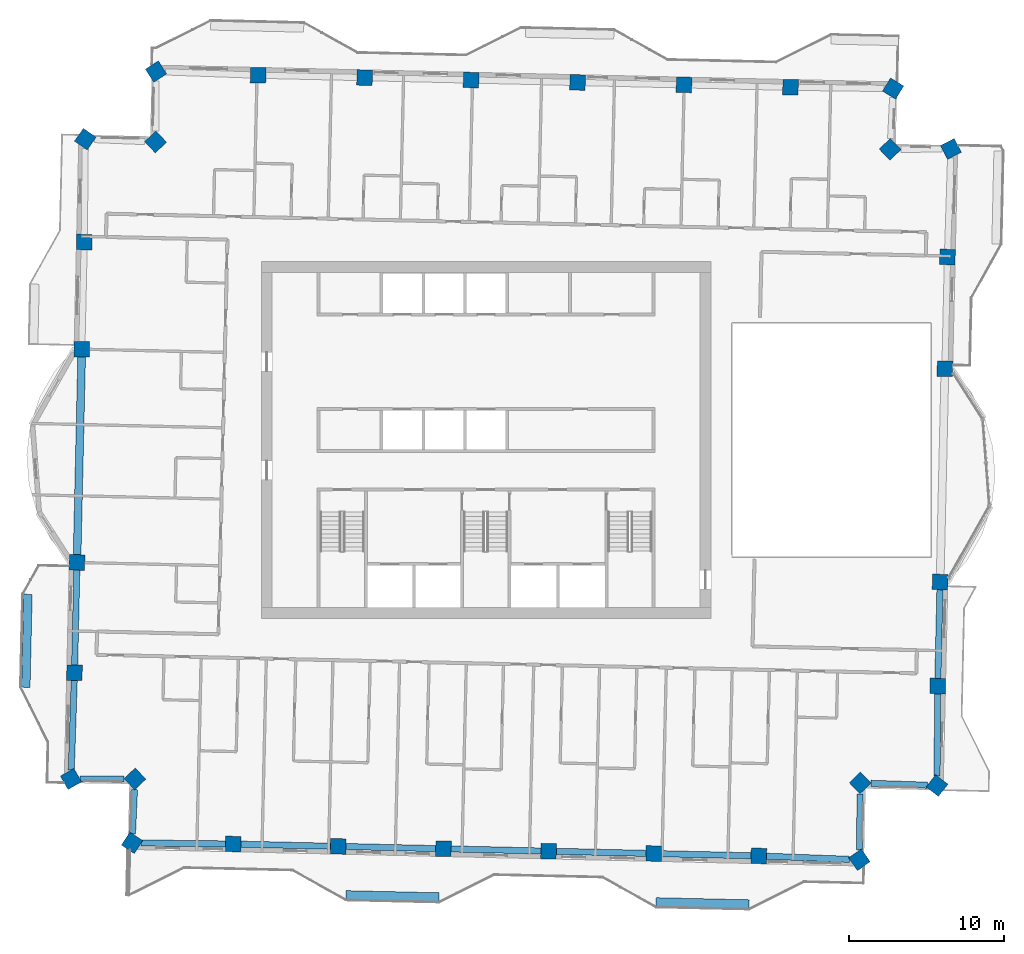
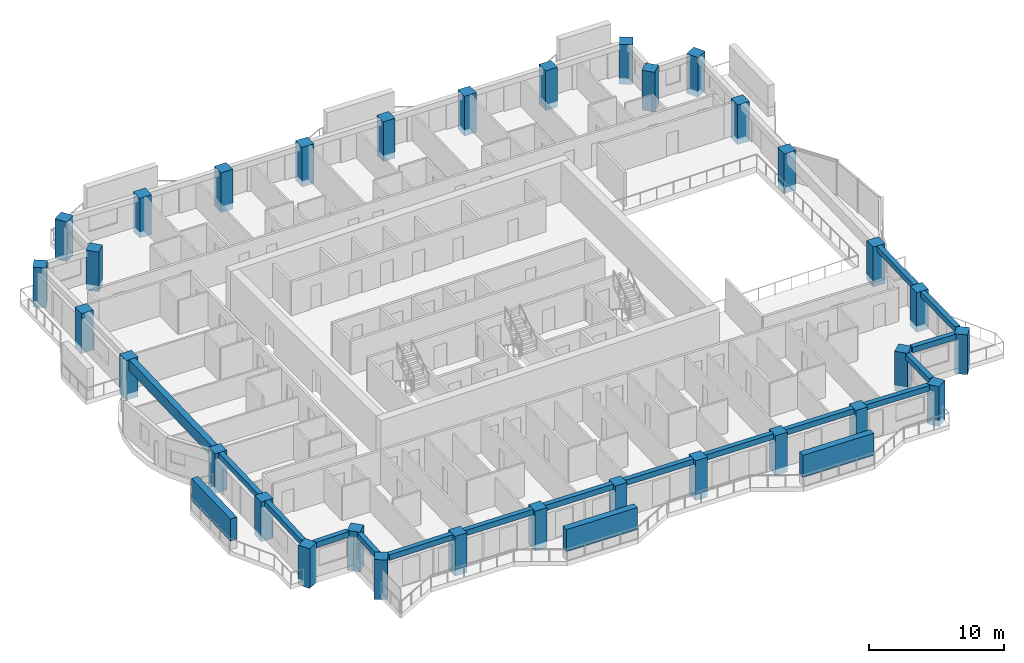
# One storey, part 1 of 17: 32 columns, 16 beams, 3 members.
"""IFC4 building model written with IfcOpenShell, lengths in metres."""

from ifc_helpers import new_model, si_unit, direction, frame, origin, origin_2d, place, context, subcontext, project, spatial, rectangle, extrude, material, material_profile, profile_set, type_object, element, save


model = new_model("IFC4")

# Units and contexts
model_context = context("Model", 3, precision=1e-05, world=origin(), true_north=direction((0.0, 1.0)))
body_context = subcontext(model_context, "Body", "Model", "MODEL_VIEW")
ifc_project = project(units=[si_unit("LENGTHUNIT", "METRE"), si_unit("AREAUNIT", "SQUARE_METRE"), si_unit("VOLUMEUNIT", "CUBIC_METRE"), si_unit("PLANEANGLEUNIT", "RADIAN"), si_unit("MASSUNIT", "GRAM", prefix="KILO")], contexts=[model_context])

# Site, building, storey
site_placement = place(None, origin())
site = spatial("IfcSite", under=ifc_project, at=site_placement, CompositionType="ELEMENT")
building_placement = place(site_placement, origin())
building = spatial("IfcBuilding", under=site, at=building_placement, Name="Mangrove Gate Tower", CompositionType="ELEMENT")
storey_placement = place(building_placement, frame((0.0, 0.0, 264.5)))
storey = spatial("IfcBuildingStorey", under=building, at=storey_placement, Name="L67", CompositionType="ELEMENT", Elevation=264.5)

# Columns
ifc_material_1 = material(Name="Concrete C60/75", Category="concrete")
ifc_material_profile_1 = material_profile(ifc_material_1, rectangle(XDim=1.0, YDim=1.0, at=origin_2d()))
ifc_profile_set_1 = profile_set([ifc_material_profile_1], Name="Concrete C60/75")
column_type = type_object("IfcColumnType", Name="Column RC 1000x1000 C60/75", PredefinedType="COLUMN", material=ifc_profile_set_1)
for number, where, z_axis, x_axis, name in (
    (1, (-26.385009765625, -7.892333984375, -0.550048828125), (0.0, 0.0, 1.0), (-0.022672414846, -0.999742947765, 0.0), "Column L67 W05"),
    (2, (-26.546142578125, -15.002197265625, -0.550048828125), (0.0, 0.0, 1.0), (-0.022636766921, -0.999743755561, 0.0), "Column L67 W06"),
    (3, (-26.770751953125, -21.857666015625, -0.550048828125), (0.0, 0.0, 1.0), (0.488846659431, -0.872369728706, 0.0), "Column L67 W07"),
    (4, (-22.646484375, -21.8515625, -0.550048828125), (0.0, 0.0, 1.0), (0.690844076144, -0.723003777622, 0.0), "Column L67 W08"),
    (5, (-22.8310546875, -25.97705078125, -0.550048828125), (0.0, 0.0, 1.0), (0.837962090781, -0.545728443838, 0.0), "Column L67 S01"),
    (6, (-16.312744140625, -26.050048828125, -0.550048828125), (0.0, 0.0, 1.0), (0.999742139886, -0.022708010396, 0.0), "Column L67 S02"),
    (7, (-9.53271484375, -26.2041015625, -0.550048828125), (0.0, 0.0, 1.0), (0.99974381087, -0.022634324086, 0.0), "Column L67 S03"),
    (8, (-2.752685546875, -26.357177734375, -0.550048828125), (0.0, 0.0, 1.0), (0.99974381087, -0.022634324086, 0.0), "Column L67 S04"),
    (9, (4.02734375, -26.51123046875, -0.550048828125), (0.0, 0.0, 1.0), (0.999742139886, -0.022708010396, 0.0), "Column L67 S05"),
    (10, (10.807373046875, -26.6650390625, -0.550048828125), (0.0, 0.0, 1.0), (0.999742139886, -0.022708010396, 0.0), "Column L67 S06"),
    (11, (17.58740234375, -26.819091796875, -0.550048828125), (0.0, 0.0, 1.0), (0.999742139886, -0.022708010396, 0.0), "Column L67 S07"),
    (12, (24.068359375, -27.06396484375, -0.550048828125), (0.0, 0.0, 1.0), (0.818120763293, 0.575046447402, 0.0), "Column L67 S08"),
    (13, (24.12353515625, -22.112548828125, -0.550048828125), (0.0, 0.0, 1.0), (0.722976563275, 0.690872556232, 0.0), "Column L67 E01"),
    (14, (29.073974609375, -22.2802734375, -0.550048828125), (0.0, 0.0, 1.0), (0.615428397343, 0.788192798586, 0.0), "Column L67 E02"),
    (15, (29.1201171875, -15.86572265625, -0.550048828125), (0.0, 0.0, 1.0), (0.022718026002, 0.999741912343, 0.0), "Column L67 E03"),
    (16, (29.273193359375, -9.154541015625, -0.550048828125), (0.0, 0.0, 1.0), (0.022723627062, 0.999741785049, 0.0), "Column L67 E04"),
    (17, (29.585205078125, 4.59228515625, -0.550048828125), (0.0, 0.0, 1.0), (0.022659642318, 0.999743237341, 0.0), "Column L67 E05"),
    (18, (29.748046875, 11.80224609375, -0.550048828125), (0.0, 0.0, 1.0), (0.0226694311, 0.999743015426, 0.0), "Column L67 E06"),
    (19, (29.96923828125, 18.76953125, -0.550048828125), (0.0, 0.0, 1.0), (-0.465021631321, 0.885299317973, 0.0), "Column L67 E07"),
    (20, (26.051513671875, 18.74658203125, -0.550048828125), (0.0, 0.0, 1.0), (-0.690925538708, 0.722925929788, 0.0), "Column L67 E08"),
    (21, (26.24267578125, 22.664794921875, -0.550048828125), (0.0, 0.0, 1.0), (-0.852456548942, 0.522798079727, 0.0), "Column L67 N01"),
    (22, (19.626708984375, 22.7470703125, -0.550048828125), (0.0, 0.0, 1.0), (-0.999741985691, 0.022714797976, 0.0), "Column L67 N02"),
    (23, (12.7607421875, 22.903076171875, -0.550048828125), (0.0, 0.0, 1.0), (-0.999741948423, 0.022716438162, 0.0), "Column L67 N03"),
    (24, (5.895751953125, 23.05908203125, -0.550048828125), (0.0, 0.0, 1.0), (-0.999741948423, 0.022716438162, 0.0), "Column L67 N04"),
    (25, (-0.97021484375, 23.215087890625, -0.550048828125), (0.0, 0.0, 1.0), (-0.999743636626, 0.022642019015, 0.0), "Column L67 N05"),
    (26, (-7.83642578125, 23.3701171875, -0.550048828125), (0.0, 0.0, 1.0), (-0.999743599083, 0.022643676653, 0.0), "Column L67 N06"),
    (27, (-14.701416015625, 23.526123046875, -0.550048828125), (0.0, 0.0, 1.0), (-0.999741948423, 0.022716438162, 0.0), "Column L67 N07"),
    (28, (-21.287353515625, 23.760498046875, -0.550048828125), (0.0, 0.0, 1.0), (-0.843247759492, -0.53752508417, 0.0), "Column L67 N08"),
    (29, (-21.314453125, 19.221435546875, -0.550048828125), (0.0, 0.0, 1.0), (-0.722988982899, -0.690859559249, 0.0), "Column L67 W01"),
    (30, (-25.84912109375, 19.401611328125, -0.550048828125), (0.0, 0.0, 1.0), (-0.572799342172, -0.819695622538, 0.0), "Column L67 W02"),
    (31, (-25.916015625, 12.765625, -0.550048828125), (0.0, 0.0, 1.0), (-0.022711552501, -0.999742059425, 0.0), "Column L67 W03"),
    (32, (-26.0732421875, 5.854736328125, -0.550048828125), (0.0, 0.0, 1.0), (-0.022697227041, -0.99974238476, 0.0), "Column L67 W04"),
):
    element("IfcColumn", number, at=place(storey_placement, frame(where, z_axis=z_axis, x_axis=x_axis)), inside=storey, type_object=column_type, Name=name, PredefinedType="COLUMN", context=body_context, shape_type="SweptSolid", body=[
        extrude(rectangle(XDim=1.0, YDim=1.0, at=origin_2d()), origin(), (0.0, 0.0, 1.0), 3.60009765625),
    ])

# Members
ifc_material_2 = material(Name="Planting on aluminium trellis", Category="aluminium")
ifc_material_profile_2 = material_profile(ifc_material_2, rectangle(XDim=0.550048828125, YDim=2.0, at=origin_2d()))
ifc_profile_set_2 = profile_set([ifc_material_profile_2], Name="Planting on aluminium trellis")
member_type = type_object("IfcMemberType", Name="Balcony greenery screen 550x2000", PredefinedType="USERDEFINED", material=ifc_profile_set_2)
member_1_placement = place(storey_placement, frame((-29.68310546875, -15.944091796875, 1.800048828125), z_axis=(0.022662255828, 0.999743178102, 0.0), x_axis=(-0.999743178102, 0.022662255828, 0.0)))
element("IfcMember", 33, at=member_1_placement, inside=storey, type_object=member_type, Name="GREEN SCREEN L67 W1.1", ObjectType="PLANTING", PredefinedType="USERDEFINED", context=body_context, shape_type="SweptSolid", body=[
    extrude(rectangle(XDim=0.550048828125, YDim=2.0, at=origin_2d()), origin(), (0.0, 0.0, 1.0), 6.00048828125),
])
member_2_placement = place(storey_placement, frame((-9.031005859375, -29.3310546875, 1.800048828125), z_axis=(0.999743094499, -0.022665943652, 0.0), x_axis=(0.022665943652, 0.999743094499, 0.0)))
element("IfcMember", 34, at=member_2_placement, inside=storey, type_object=member_type, Name="GREEN SCREEN L67 S0.1", ObjectType="PLANTING", PredefinedType="USERDEFINED", context=body_context, shape_type="SweptSolid", body=[
    extrude(rectangle(XDim=0.550048828125, YDim=2.0, at=origin_2d()), origin(), (0.0, 0.0, 1.0), 5.99951171875),
])
member_3_placement = place(storey_placement, frame((10.964111328125, -29.784912109375, 1.800048828125), z_axis=(0.999743073592, -0.022666865795, 0.0), x_axis=(0.022666865795, 0.999743073592, 0.0)))
element("IfcMember", 35, at=member_3_placement, inside=storey, type_object=member_type, Name="GREEN SCREEN L67 S1.1", ObjectType="PLANTING", PredefinedType="USERDEFINED", context=body_context, shape_type="SweptSolid", body=[
    extrude(rectangle(XDim=0.550048828125, YDim=2.0, at=origin_2d()), origin(), (0.0, 0.0, 1.0), 5.999267578125),
])

# Beams
ifc_material_3 = material(Name="Concrete C50/60", Category="concrete")
ifc_material_profile_3 = material_profile(ifc_material_3, rectangle(XDim=0.39990234375, YDim=0.5, at=origin_2d()))
ifc_profile_set_3 = profile_set([ifc_material_profile_3], Name="Concrete C50/60")
beam_type_1 = type_object("IfcBeamType", Name="Edge beam RC 400x500 C50/60", PredefinedType="BEAM", material=ifc_profile_set_3)
beam_1_placement = place(storey_placement, frame((-26.5625, -15.502197265625, 2.800048828125), z_axis=(-0.032765815093, -0.999463056526, 0.0), x_axis=(0.999463056526, -0.032765815093, 0.0)))
element("IfcBeam", 36, at=beam_1_placement, inside=storey, type_object=beam_type_1, Name="Edge beam L67 01", PredefinedType="BEAM", context=body_context, shape_type="SweptSolid", body=[
    extrude(rectangle(XDim=0.39990234375, YDim=0.5, at=origin_2d()), origin(), (0.0, 0.0, 1.0), 5.774658203125),
])
beam_2_placement = place(storey_placement, frame((-26.1982421875, -21.856689453125, 2.800048828125), z_axis=(0.99999894783, 0.001450634193, 0.0), x_axis=(-0.001450634193, 0.99999894783, 0.0)))
element("IfcBeam", 37, at=beam_2_placement, inside=storey, type_object=beam_type_1, Name="Edge beam L67 02", PredefinedType="BEAM", context=body_context, shape_type="SweptSolid", body=[
    extrude(rectangle(XDim=0.39990234375, YDim=0.5, at=origin_2d()), origin(), (0.0, 0.0, 1.0), 2.861083984375),
])
beam_3_placement = place(storey_placement, frame((-22.677490234375, -22.54296875, 2.800048828125), z_axis=(-0.044690570426, -0.999000877334, 0.0), x_axis=(0.999000877334, -0.044690570426, 0.0)))
element("IfcBeam", 38, at=beam_3_placement, inside=storey, type_object=beam_type_1, Name="Edge beam L67 03", PredefinedType="BEAM", context=body_context, shape_type="SweptSolid", body=[
    extrude(rectangle(XDim=0.39990234375, YDim=0.5, at=origin_2d()), origin(), (0.0, 0.0, 1.0), 2.857177734375),
])
beam_4_placement = place(storey_placement, frame((-22.23876953125, -25.983642578125, 2.800048828125), z_axis=(0.999937245586, -0.011202896475, 0.0), x_axis=(0.011202896475, 0.999937245586, 0.0)))
element("IfcBeam", 39, at=beam_4_placement, inside=storey, type_object=beam_type_1, Name="Edge beam L67 04", PredefinedType="BEAM", context=body_context, shape_type="SweptSolid", body=[
    extrude(rectangle(XDim=0.39990234375, YDim=0.5, at=origin_2d()), origin(), (0.0, 0.0, 1.0), 5.42626953125),
])
for number, where, z_axis, x_axis, name in (
    (40, (-15.812744140625, -26.0615234375, 2.800048828125), (0.999741922736, -0.022717568611, 0.0), (0.022717568611, 0.999741922736, 0.0), "Edge beam L67 05"),
    (41, (-9.03271484375, -26.21533203125, 2.800048828125), (0.999744791798, -0.02259095555, 0.0), (0.02259095555, 0.999744791798, 0.0), "Edge beam L67 06"),
):
    element("IfcBeam", number, at=place(storey_placement, frame(where, z_axis=z_axis, x_axis=x_axis)), inside=storey, type_object=beam_type_1, Name=name, PredefinedType="BEAM", context=body_context, shape_type="SweptSolid", body=[
        extrude(rectangle(XDim=0.39990234375, YDim=0.5, at=origin_2d()), origin(), (0.0, 0.0, 1.0), 5.78173828125),
    ])
beam_5_placement = place(storey_placement, frame((-2.2529296875, -26.368408203125, 2.800048828125), z_axis=(0.999741944527, -0.022716609628, 0.0), x_axis=(0.022716609628, 0.999741944527, 0.0)))
element("IfcBeam", 42, at=beam_5_placement, inside=storey, type_object=beam_type_1, Name="Edge beam L67 07", PredefinedType="BEAM", context=body_context, shape_type="SweptSolid", body=[
    extrude(rectangle(XDim=0.39990234375, YDim=0.5, at=origin_2d()), origin(), (0.0, 0.0, 1.0), 5.781982421875),
])
beam_6_placement = place(storey_placement, frame((4.52734375, -26.5224609375, 2.800048828125), z_axis=(0.999741900943, -0.022718527675, 0.0), x_axis=(0.022718527675, 0.999741900943, 0.0)))
element("IfcBeam", 43, at=beam_6_placement, inside=storey, type_object=beam_type_1, Name="Edge beam L67 08", PredefinedType="BEAM", context=body_context, shape_type="SweptSolid", body=[
    extrude(rectangle(XDim=0.39990234375, YDim=0.5, at=origin_2d()), origin(), (0.0, 0.0, 1.0), 5.781494140625),
])
beam_7_placement = place(storey_placement, frame((11.30712890625, -26.676513671875, 2.800048828125), z_axis=(0.999741922736, -0.022717568611, 0.0), x_axis=(0.022717568611, 0.999741922736, 0.0)))
element("IfcBeam", 44, at=beam_7_placement, inside=storey, type_object=beam_type_1, Name="Edge beam L67 09", PredefinedType="BEAM", context=body_context, shape_type="SweptSolid", body=[
    extrude(rectangle(XDim=0.39990234375, YDim=0.5, at=origin_2d()), origin(), (0.0, 0.0, 1.0), 5.78173828125),
])
beam_8_placement = place(storey_placement, frame((18.087158203125, -26.837890625, 2.800048828125), z_axis=(0.9992861355, -0.037778557385, 0.0), x_axis=(0.037778557385, 0.9992861355, 0.0)))
element("IfcBeam", 45, at=beam_8_placement, inside=storey, type_object=beam_type_1, Name="Edge beam L67 10", PredefinedType="BEAM", context=body_context, shape_type="SweptSolid", body=[
    extrude(rectangle(XDim=0.39990234375, YDim=0.5, at=origin_2d()), origin(), (0.0, 0.0, 1.0), 5.357421875),
])
beam_9_placement = place(storey_placement, frame((24.075439453125, -26.447998046875, 2.800048828125), z_axis=(0.011076863189, 0.999938649669, 0.0), x_axis=(-0.999938649669, 0.011076863189, 0.0)))
element("IfcBeam", 46, at=beam_9_placement, inside=storey, type_object=beam_type_1, Name="Edge beam L67 11", PredefinedType="BEAM", context=body_context, shape_type="SweptSolid", body=[
    extrude(rectangle(XDim=0.39990234375, YDim=0.5, at=origin_2d()), origin(), (0.0, 0.0, 1.0), 3.63671875),
])
beam_10_placement = place(storey_placement, frame((24.822509765625, -22.13623046875, 2.800048828125), z_axis=(0.999427025766, -0.033847011221, 0.0), x_axis=(0.033847011221, 0.999427025766, 0.0)))
element("IfcBeam", 47, at=beam_10_placement, inside=storey, type_object=beam_type_1, Name="Edge beam L67 12", PredefinedType="BEAM", context=body_context, shape_type="SweptSolid", body=[
    extrude(rectangle(XDim=0.39990234375, YDim=0.5, at=origin_2d()), origin(), (0.0, 0.0, 1.0), 3.635498046875),
])
beam_11_placement = place(storey_placement, frame((29.078369140625, -21.6494140625, 2.800048828125), z_axis=(0.00720801901, 0.999974021894, 0.0), x_axis=(-0.999974021894, 0.00720801901, 0.0)))
element("IfcBeam", 48, at=beam_11_placement, inside=storey, type_object=beam_type_1, Name="Edge beam L67 13", PredefinedType="BEAM", context=body_context, shape_type="SweptSolid", body=[
    extrude(rectangle(XDim=0.39990234375, YDim=0.5, at=origin_2d()), origin(), (0.0, 0.0, 1.0), 5.283935546875),
])
beam_12_placement = place(storey_placement, frame((29.131591796875, -15.36572265625, 2.800048828125), z_axis=(0.022778681813, 0.999740532166, 0.0), x_axis=(-0.999740532166, 0.022778681813, 0.0)))
element("IfcBeam", 49, at=beam_12_placement, inside=storey, type_object=beam_type_1, Name="Edge beam L67 14", PredefinedType="BEAM", context=body_context, shape_type="SweptSolid", body=[
    extrude(rectangle(XDim=0.39990234375, YDim=0.5, at=origin_2d()), origin(), (0.0, 0.0, 1.0), 5.712646484375),
])
ifc_material_4 = material(Name="Concrete C50/60", Category="concrete")
ifc_material_profile_4 = material_profile(ifc_material_4, rectangle(XDim=0.39990234375, YDim=0.550048828125, at=origin_2d()))
ifc_profile_set_4 = profile_set([ifc_material_profile_4], Name="Concrete C50/60")
beam_type_2 = type_object("IfcBeamType", Name="Edge beam RC 400x550 C50/60", PredefinedType="BEAM", material=ifc_profile_set_4)
beam_13_placement = place(storey_placement, frame((-26.396484375, -8.39208984375, 2.77490234375), z_axis=(-0.022648815514, -0.999743482677, 0.0), x_axis=(0.999743482677, -0.022648815514, 0.0)))
element("IfcBeam", 50, at=beam_13_placement, inside=storey, type_object=beam_type_2, Name="Edge beam L67 00", PredefinedType="BEAM", context=body_context, shape_type="SweptSolid", body=[
    extrude(rectangle(XDim=0.39990234375, YDim=0.550048828125, at=origin_2d()), origin(), (0.0, 0.0, 1.0), 6.11181640625),
])
ifc_material_5 = material(Name="Concrete C50/60", Category="concrete")
ifc_material_profile_5 = material_profile(ifc_material_5, rectangle(XDim=0.5, YDim=1.0, at=origin_2d()))
ifc_profile_set_5 = profile_set([ifc_material_profile_5], Name="Concrete C50/60")
beam_type_3 = type_object("IfcBeamType", Name="Edge beam RC 500x1000 C50/60", PredefinedType="BEAM", material=ifc_profile_set_5)
beam_14_placement = place(storey_placement, frame((-26.08447265625, 5.354736328125, 2.550048828125), z_axis=(-0.022689654485, -0.999742556651, 0.0), x_axis=(0.999742556651, -0.022689654485, 0.0)))
element("IfcBeam", 51, at=beam_14_placement, inside=storey, type_object=beam_type_3, Name="Edge beam L67 31", PredefinedType="BEAM", context=body_context, shape_type="SweptSolid", body=[
    extrude(rectangle(XDim=0.5, YDim=1.0, at=origin_2d()), origin(), (0.0, 0.0, 1.0), 12.75048828125),
])

save(model, "model.ifc")
